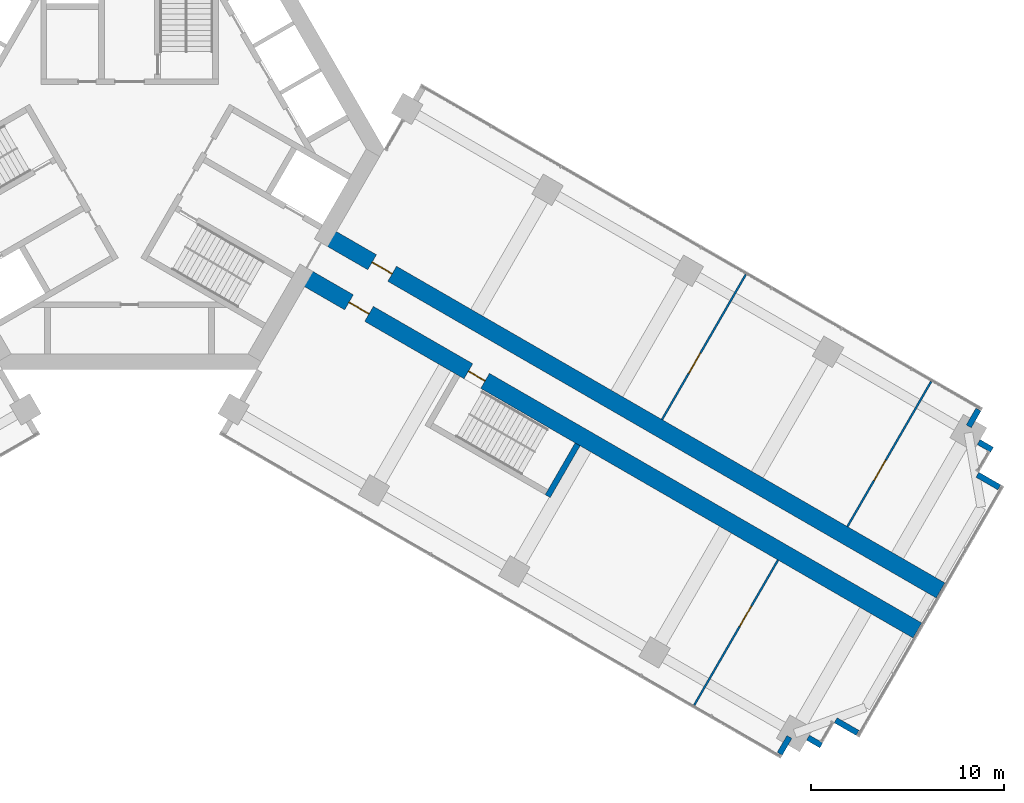
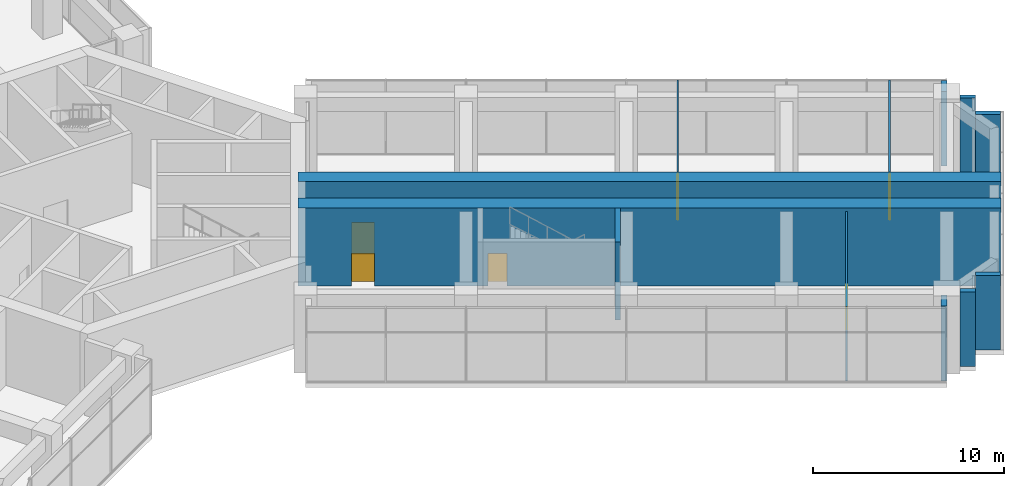
# One storey, part 18 of 20: 12 walls, 6 doors, 6 openings.
"""IFC4 building model written with IfcOpenShell, lengths in metres."""

from ifc_helpers import new_model, si_unit, direction, frame, frame_2d, origin, place, context, subcontext, project, spatial, rectangle, extrude, material, layer, layer_set, type_object, element, fill, save


model = new_model("IFC4")

# Units and contexts
model_context = context("Model", 3, precision=1e-05, world=origin(), true_north=direction((0.0, 1.0)))
body_context = subcontext(model_context, "Body", "Model", "MODEL_VIEW")
ifc_project = project(units=[si_unit("LENGTHUNIT", "METRE"), si_unit("AREAUNIT", "SQUARE_METRE"), si_unit("VOLUMEUNIT", "CUBIC_METRE"), si_unit("PLANEANGLEUNIT", "RADIAN"), si_unit("MASSUNIT", "GRAM", prefix="KILO")], contexts=[model_context])

# Site, building, storey
site_placement = place(None, origin())
site = spatial("IfcSite", under=ifc_project, at=site_placement, CompositionType="ELEMENT")
building_placement = place(site_placement, origin())
building = spatial("IfcBuilding", under=site, at=building_placement, Name="Impinga Residences", CompositionType="ELEMENT")
storey_placement = place(building_placement, frame((0.0, 0.0, 101.0)))
storey = spatial("IfcBuildingStorey", under=building, at=storey_placement, Name="L24", CompositionType="ELEMENT", Elevation=101.0)

# Wall, opening, door
ifc_material_1 = material(Name="Concrete C60/75", Category="concrete")
ifc_layer_1 = layer(ifc_material_1, 0.89990234375)
ifc_layer_set_1 = layer_set([ifc_layer_1], Name="Concrete C60/75")
wall_type_1 = type_object("IfcWallType", Name="BW2 corridor buttress wall, L24 to L44 900", PredefinedType="SHEAR", material=ifc_layer_set_1)
wall_1_placement = place(storey_placement, frame((10.153564453125, -4.4765625, 0.0), z_axis=(0.0, 0.0, 1.0), x_axis=(0.866025667015, -0.49999954407, 0.0)))
wall_1 = element("IfcWall", 1, at=wall_1_placement, inside=storey, type_object=wall_type_1, Name="Corridor wall BW2 EC L24", PredefinedType="SHEAR", context=body_context, shape_type="SweptSolid", body=[
    extrude(rectangle(XDim=36.837890625, YDim=0.89990234375, at=frame_2d((18.4189453125, 0.0))), origin(), (0.0, 0.0, 1.0), 5.0),
])
opening_1_placement = place(wall_1_placement, frame((2.800048828125, 0.0, 0.0)))
opening_1 = element("IfcOpeningElement", 2, at=opening_1_placement, cuts=wall_1, Name="Opening D3", PredefinedType="OPENING", context=body_context, shape_type="SweptSolid", body=[
    extrude(rectangle(XDim=1.199951171875, YDim=2.10009765625, at=frame_2d((0.60009765625, 1.050048828125))), frame((0.0, 0.4599609375, 0.0), z_axis=(0.0, -1.0, 0.0), x_axis=(1.0, 0.0, 0.0)), (0.0, 0.0, 1.0), 0.919921875),
])
ifc_material_2 = material(Name="Timber door set", Category="wood")
door_type_1 = type_object("IfcDoorType", Name="D3 room door, leaf and a half 1200x2100", OperationType="DOUBLE_SWING_LEFT", PredefinedType="DOOR", material=ifc_material_2)
door_1_placement = place(opening_1_placement, origin())
door_1 = element("IfcDoor", 3, at=door_1_placement, inside=storey, type_object=door_type_1, Name="Sky dining room door L24-EA1", OperationType="DOUBLE_SWING_LEFT", OverallHeight=2.10009765625, OverallWidth=1.199951171875, PredefinedType="DOOR", context=body_context, shape_type="SweptSolid", body=[
    extrude(rectangle(XDim=1.199951171875, YDim=2.10009765625, at=frame_2d((0.60009765625, 1.050048828125))), frame((0.0, 0.02490234375, 0.0), z_axis=(0.0, -1.0, 0.0), x_axis=(1.0, 0.0, 0.0)), (0.0, 0.0, 1.0), 0.050048828125),
])
fill(opening_1, door_1)

# Wall, openings, doors
wall_2_placement = place(storey_placement, frame((8.95361328125, -6.554931640625, 0.0), z_axis=(0.0, 0.0, 1.0), x_axis=(0.866025667015, -0.49999954407, 0.0)))
wall_2 = element("IfcWall", 4, at=wall_2_placement, inside=storey, type_object=wall_type_1, Name="Corridor wall BW2 ED L24", PredefinedType="SHEAR", context=body_context, shape_type="SweptSolid", body=[
    extrude(rectangle(XDim=36.837890625, YDim=0.89990234375, at=frame_2d((18.4189453125, 0.0))), origin(), (0.0, 0.0, 1.0), 5.0),
])
opening_2_placement = place(wall_2_placement, frame((9.949951171875, 0.0, 0.0)))
opening_2 = element("IfcOpeningElement", 5, at=opening_2_placement, cuts=wall_2, Name="Opening D5", PredefinedType="OPENING", context=body_context, shape_type="SweptSolid", body=[
    extrude(rectangle(XDim=1.0, YDim=2.10009765625, at=frame_2d((0.5, 1.050048828125))), frame((0.0, 0.4599609375, 0.0), z_axis=(0.0, -1.0, 0.0), x_axis=(1.0, 0.0, 0.0)), (0.0, 0.0, 1.0), 0.919921875),
])
opening_3_placement = place(wall_2_placement, frame((2.800048828125, 0.0, 0.0)))
opening_3 = element("IfcOpeningElement", 6, at=opening_3_placement, cuts=wall_2, Name="Opening D3", PredefinedType="OPENING", context=body_context, shape_type="SweptSolid", body=[
    extrude(rectangle(XDim=1.199951171875, YDim=2.10009765625, at=frame_2d((0.60009765625, 1.050048828125))), frame((0.0, 0.4599609375, 0.0), z_axis=(0.0, -1.0, 0.0), x_axis=(1.0, 0.0, 0.0)), (0.0, 0.0, 1.0), 0.919921875),
])
door_2_placement = place(opening_3_placement, origin())
door_2 = element("IfcDoor", 7, at=door_2_placement, inside=storey, type_object=door_type_1, Name="Private dining room door L24-EF1", OperationType="DOUBLE_SWING_LEFT", OverallHeight=2.10009765625, OverallWidth=1.199951171875, PredefinedType="DOOR", context=body_context, shape_type="SweptSolid", body=[
    extrude(rectangle(XDim=1.199951171875, YDim=2.10009765625, at=frame_2d((0.60009765625, 1.050048828125))), frame((0.0, 0.02490234375, 0.0), z_axis=(0.0, -1.0, 0.0), x_axis=(1.0, 0.0, 0.0)), (0.0, 0.0, 1.0), 0.050048828125),
])
fill(opening_3, door_2)
door_type_2 = type_object("IfcDoorType", Name="D5 stair door 1000x2100", OperationType="SINGLE_SWING_LEFT", PredefinedType="DOOR", material=ifc_material_2)
door_3_placement = place(opening_2_placement, origin())
door_3 = element("IfcDoor", 8, at=door_3_placement, inside=storey, type_object=door_type_2, Name="Wing stair door E", OperationType="SINGLE_SWING_LEFT", OverallHeight=2.10009765625, OverallWidth=1.0, PredefinedType="DOOR", context=body_context, shape_type="SweptSolid", body=[
    extrude(rectangle(XDim=1.0, YDim=2.10009765625, at=frame_2d((0.5, 1.050048828125))), frame((0.0, 0.02490234375, 0.0), z_axis=(0.0, -1.0, 0.0), x_axis=(1.0, 0.0, 0.0)), (0.0, 0.0, 1.0), 0.050048828125),
])
fill(opening_2, door_3)

# Wall, opening, door
ifc_material_3 = material(Name="Concrete blockwork", Category="masonry")
ifc_layer_2 = layer(ifc_material_3, 0.10009765625)
ifc_layer_set_2 = layer_set([ifc_layer_2], Name="CP1 core room partition, blockwork 100")
wall_type_2 = type_object("IfcWallType", Name="CP1 core room partition, blockwork 100", PredefinedType="PARTITIONING", material=ifc_layer_set_2)
wall_3_placement = place(storey_placement, frame((27.612548828125, -14.036865234375, 0.0), z_axis=(0.0, 0.0, 1.0), x_axis=(0.499998976765, 0.866025994549, 0.0)))
wall_3 = element("IfcWall", 9, at=wall_3_placement, inside=storey, type_object=wall_type_2, Name="Core room partition, blockwork L24-EA1:PS1", PredefinedType="PARTITIONING", context=body_context, shape_type="SweptSolid", body=[
    extrude(rectangle(XDim=8.68701171875, YDim=0.10009765625, at=frame_2d((4.343505859375, 0.0))), origin(), (0.0, 0.0, 1.0), 4.780029296875),
])
opening_4_placement = place(wall_3_placement, frame((2.77490234375, 0.0, 0.0)))
opening_4 = element("IfcOpeningElement", 10, at=opening_4_placement, cuts=wall_3, Name="Opening D3", PredefinedType="OPENING", context=body_context, shape_type="SweptSolid", body=[
    extrude(rectangle(XDim=1.199951171875, YDim=2.10009765625, at=frame_2d((0.60009765625, 1.050048828125))), frame((0.0, 0.06005859375, 0.0), z_axis=(0.0, -1.0, 0.0), x_axis=(1.0, 0.0, 0.0)), (0.0, 0.0, 1.0), 0.1201171875),
])
door_4_placement = place(opening_4_placement, origin())
door_4 = element("IfcDoor", 11, at=door_4_placement, inside=storey, type_object=door_type_1, Name="Servery door L24-EA1", OperationType="DOUBLE_SWING_LEFT", OverallHeight=2.10009765625, OverallWidth=1.199951171875, PredefinedType="DOOR", context=body_context, shape_type="SweptSolid", body=[
    extrude(rectangle(XDim=1.199951171875, YDim=2.10009765625, at=frame_2d((0.60009765625, 1.050048828125))), frame((0.0, 0.02490234375, 0.0), z_axis=(0.0, -1.0, 0.0), x_axis=(1.0, 0.0, 0.0)), (0.0, 0.0, 1.0), 0.050048828125),
])
fill(opening_4, door_4)

wall_4_placement = place(storey_placement, frame((37.225341796875, -19.5869140625, 0.0), z_axis=(0.0, 0.0, 1.0), x_axis=(0.499998976765, 0.866025994549, 0.0)))
wall_4 = element("IfcWall", 12, at=wall_4_placement, inside=storey, type_object=wall_type_2, Name="Core room partition, blockwork L24-EA1:PS2", PredefinedType="PARTITIONING", context=body_context, shape_type="SweptSolid", body=[
    extrude(rectangle(XDim=8.68701171875, YDim=0.10009765625, at=frame_2d((4.343505859375, 0.0))), origin(), (0.0, 0.0, 1.0), 4.780029296875),
])
opening_5_placement = place(wall_4_placement, frame((2.77490234375, 0.0, 0.0)))
opening_5 = element("IfcOpeningElement", 13, at=opening_5_placement, cuts=wall_4, Name="Opening D3", PredefinedType="OPENING", context=body_context, shape_type="SweptSolid", body=[
    extrude(rectangle(XDim=1.199951171875, YDim=2.10009765625, at=frame_2d((0.60009765625, 1.050048828125))), frame((0.0, 0.06005859375, 0.0), z_axis=(0.0, -1.0, 0.0), x_axis=(1.0, 0.0, 0.0)), (0.0, 0.0, 1.0), 0.1201171875),
])
door_5_placement = place(opening_5_placement, origin())
door_5 = element("IfcDoor", 14, at=door_5_placement, inside=storey, type_object=door_type_1, Name="Sky kitchen door L24-EA1", OperationType="DOUBLE_SWING_LEFT", OverallHeight=2.10009765625, OverallWidth=1.199951171875, PredefinedType="DOOR", context=body_context, shape_type="SweptSolid", body=[
    extrude(rectangle(XDim=1.199951171875, YDim=2.10009765625, at=frame_2d((0.60009765625, 1.050048828125))), frame((0.0, 0.02490234375, 0.0), z_axis=(0.0, -1.0, 0.0), x_axis=(1.0, 0.0, 0.0)), (0.0, 0.0, 1.0), 0.050048828125),
])
fill(opening_5, door_5)

wall_5_placement = place(storey_placement, frame((33.626708984375, -21.31982421875, 0.0), z_axis=(0.0, 0.0, 1.0), x_axis=(-0.500011146402, -0.866018968311, 0.0)))
wall_5 = element("IfcWall", 15, at=wall_5_placement, inside=storey, type_object=wall_type_2, Name="Core room partition, blockwork L24-EF1:PS1", PredefinedType="PARTITIONING", context=body_context, shape_type="SweptSolid", body=[
    extrude(rectangle(XDim=8.686767578125, YDim=0.10009765625, at=frame_2d((4.34326171875, 0.0))), origin(), (0.0, 0.0, 1.0), 4.780029296875),
])
opening_6_placement = place(wall_5_placement, frame((2.77490234375, 0.0, 0.0)))
opening_6 = element("IfcOpeningElement", 16, at=opening_6_placement, cuts=wall_5, Name="Opening D3", PredefinedType="OPENING", context=body_context, shape_type="SweptSolid", body=[
    extrude(rectangle(XDim=1.199951171875, YDim=2.10009765625, at=frame_2d((0.60009765625, 1.050048828125))), frame((0.0, 0.06005859375, 0.0), z_axis=(0.0, -1.0, 0.0), x_axis=(1.0, 0.0, 0.0)), (0.0, 0.0, 1.0), 0.1201171875),
])
door_6_placement = place(opening_6_placement, origin())
door_6 = element("IfcDoor", 17, at=door_6_placement, inside=storey, type_object=door_type_1, Name="Pantry door L24-EF1", OperationType="DOUBLE_SWING_LEFT", OverallHeight=2.10009765625, OverallWidth=1.199951171875, PredefinedType="DOOR", context=body_context, shape_type="SweptSolid", body=[
    extrude(rectangle(XDim=1.199951171875, YDim=2.10009765625, at=frame_2d((0.60009765625, 1.050048828125))), frame((0.0, 0.02490234375, 0.0), z_axis=(0.0, -1.0, 0.0), x_axis=(1.0, 0.0, 0.0)), (0.0, 0.0, 1.0), 0.050048828125),
])
fill(opening_6, door_6)

# Walls
ifc_material_4 = material(Name="Stone facing on blockwork", Category="masonry")
ifc_layer_3 = layer(ifc_material_4, 0.300048828125)
ifc_layer_set_3 = layer_set([ifc_layer_3], Name="EW2 external wall, stone facing on blockwork 300")
wall_type_3 = type_object("IfcWallType", Name="EW2 external wall, stone facing on blockwork 300", PredefinedType="SOLIDWALL", material=ifc_layer_set_3)
wall_6_placement = place(storey_placement, frame((44.02099609375, -13.516357421875, 0.0), z_axis=(0.0, 0.0, 1.0), x_axis=(-0.499953773667, -0.866052090925, 0.0)))
element("IfcWall", 18, at=wall_6_placement, inside=storey, type_object=wall_type_3, Name="External wall EW2 L24", PredefinedType="SOLIDWALL", context=body_context, shape_type="SweptSolid", body=[
    extrude(rectangle(XDim=1.0048828125, YDim=0.300048828125, at=frame_2d((0.50244140625, 0.0))), origin(), (0.0, 0.0, 1.0), 4.780029296875),
])
wall_7_placement = place(storey_placement, frame((44.0322265625, -15.202880859375, 0.0), z_axis=(0.0, 0.0, 1.0), x_axis=(0.865915193073, -0.500190841984, 0.0)))
element("IfcWall", 19, at=wall_7_placement, inside=storey, type_object=wall_type_3, Name="External wall EW2 L24", PredefinedType="SOLIDWALL", context=body_context, shape_type="SweptSolid", body=[
    extrude(rectangle(XDim=0.797119140625, YDim=0.300048828125, at=frame_2d((0.3984375, 0.0))), origin(), (0.0, 0.0, 1.0), 4.780029296875),
])
for number, where, z_axis, x_axis, name in (
    (20, (43.96826171875, -16.89794921875, 0.0), (0.0, 0.0, 1.0), (0.865974499684, -0.500088158126, 0.0), "External wall EW2 L24"),
    (21, (37.752685546875, -30.283447265625, 0.0), (0.0, 0.0, 1.0), (-0.866101796549, 0.4998676605, 0.0), "External wall EW2 L24"),
):
    element("IfcWall", number, at=place(storey_placement, frame(where, z_axis=z_axis, x_axis=x_axis)), inside=storey, type_object=wall_type_3, Name=name, PredefinedType="SOLIDWALL", context=body_context, shape_type="SweptSolid", body=[
        extrude(rectangle(XDim=1.309814453125, YDim=0.300048828125, at=frame_2d((0.65478515625, 0.0))), origin(), (0.0, 0.0, 1.0), 4.780029296875),
    ])
wall_8_placement = place(storey_placement, frame((35.87255859375, -30.93017578125, 0.0), z_axis=(0.0, 0.0, 1.0), x_axis=(-0.865915193073, 0.500190841984, 0.0)))
element("IfcWall", 22, at=wall_8_placement, inside=storey, type_object=wall_type_3, Name="External wall EW2 L24", PredefinedType="SOLIDWALL", context=body_context, shape_type="SweptSolid", body=[
    extrude(rectangle(XDim=0.797119140625, YDim=0.300048828125, at=frame_2d((0.3984375, 0.0))), origin(), (0.0, 0.0, 1.0), 4.780029296875),
])
wall_9_placement = place(storey_placement, frame((34.218505859375, -30.494873046875, 0.0), z_axis=(0.0, 0.0, 1.0), x_axis=(-0.499953773667, -0.866052090925, 0.0)))
element("IfcWall", 23, at=wall_9_placement, inside=storey, type_object=wall_type_3, Name="External wall EW2 L24", PredefinedType="SOLIDWALL", context=body_context, shape_type="SweptSolid", body=[
    extrude(rectangle(XDim=1.0048828125, YDim=0.300048828125, at=frame_2d((0.50244140625, 0.0))), origin(), (0.0, 0.0, 1.0), 4.780029296875),
])
ifc_layer_4 = layer(ifc_material_1, 0.300048828125)
ifc_layer_set_4 = layer_set([ifc_layer_4], Name="Concrete C60/75")
wall_type_4 = type_object("IfcWallType", Name="SE1 wing stair enclosure wall 300", PredefinedType="SOLIDWALL", material=ifc_layer_set_4)
wall_10_placement = place(storey_placement, frame((23.234619140625, -15.31982421875, 0.0), z_axis=(0.0, 0.0, 1.0), x_axis=(-0.500026960575, -0.86600983753, 0.0)))
element("IfcWall", 24, at=wall_10_placement, inside=storey, type_object=wall_type_4, Name="Stair enclosure wall SE1 E END1 L24", PredefinedType="SOLIDWALL", context=body_context, shape_type="SweptSolid", body=[
    extrude(rectangle(XDim=3.099853515625, YDim=0.300048828125, at=frame_2d((1.5498046875, 0.0))), origin(), (0.0, 0.0, 1.0), 5.0),
])

save(model, "model.ifc")
